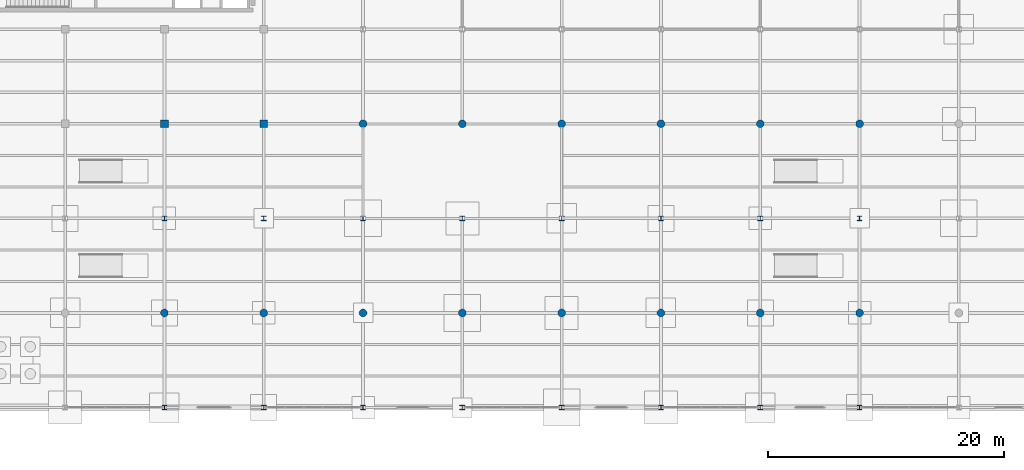
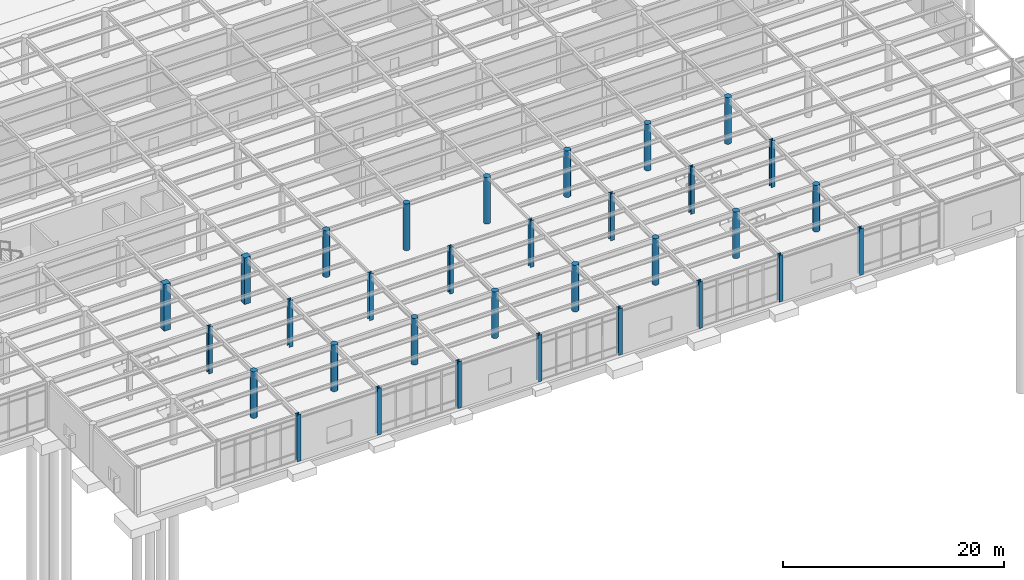
# One storey, part 9 of 138: 32 columns.
"""IFC4 building model written with IfcOpenShell, lengths in metres."""

from ifc_helpers import new_model, si_unit, direction, frame, origin, origin_2d, place, context, subcontext, project, spatial, rectangle, circle, i_section, extrude, material, material_profile, profile_set, type_object, element, save


model = new_model("IFC4")

# Units and contexts
model_context = context("Model", 3, precision=1e-05, world=origin(), true_north=direction((0.0, 1.0)))
body_context = subcontext(model_context, "Body", "Model", "MODEL_VIEW")
ifc_project = project(units=[si_unit("LENGTHUNIT", "METRE"), si_unit("AREAUNIT", "SQUARE_METRE"), si_unit("VOLUMEUNIT", "CUBIC_METRE"), si_unit("PLANEANGLEUNIT", "RADIAN"), si_unit("MASSUNIT", "GRAM", prefix="KILO")], contexts=[model_context])

# Site, building, storey
site_placement = place(None, origin())
site = spatial("IfcSite", under=ifc_project, at=site_placement, CompositionType="ELEMENT")
building_placement = place(site_placement, origin())
building = spatial("IfcBuilding", under=site, at=building_placement, Name="Kranzveld Transit Interchange", CompositionType="ELEMENT")
storey_placement = place(building_placement, origin())
storey = spatial("IfcBuildingStorey", under=building, at=storey_placement, Name="L00", CompositionType="ELEMENT", Elevation=0.0)

# Columns
ifc_material_1 = material(Name="Concrete C35/45", Category="concrete")
ifc_material_profile_1 = material_profile(ifc_material_1, rectangle(XDim=0.64990234375, YDim=0.64990234375, at=origin_2d()), Name="RC 650x650")
ifc_profile_set_1 = profile_set([ifc_material_profile_1], Name="Concrete C35/45")
column_type_1 = type_object("IfcColumnType", Name="Column RC 650x650 C35/45", PredefinedType="COLUMN", material=ifc_profile_set_1)
for number, where, z_axis, x_axis, name in (
    (1, (67.199951171875, 24.0, 0.0), (0.0, 0.0, 1.0), (1.0, 0.0, 0.0), "L00 Column 09/D"),
    (2, (75.60009765625, 24.0, 0.0), (0.0, 0.0, 1.0), (1.0, 0.0, 0.0), "L00 Column 10/D"),
):
    element("IfcColumn", number, at=place(storey_placement, frame(where, z_axis=z_axis, x_axis=x_axis)), inside=storey, type_object=column_type_1, Name=name, PredefinedType="COLUMN", context=body_context, shape_type="SweptSolid", body=[
        extrude(rectangle(XDim=0.64990234375, YDim=0.64990234375, at=origin_2d()), origin(), (0.0, 0.0, 1.0), 5.14990234375),
    ])
ifc_material_2 = material(Name="Concrete C35/45", Category="concrete")
ifc_material_profile_2 = material_profile(ifc_material_2, circle(Radius=0.324951171875, at=origin_2d()), Name="RC DIA 650")
ifc_profile_set_2 = profile_set([ifc_material_profile_2], Name="Concrete C35/45")
column_type_2 = type_object("IfcColumnType", Name="Column RC Dia 650 C35/45", PredefinedType="COLUMN", material=ifc_profile_set_2)
for number, where, z_axis, x_axis, name in (
    (3, (67.199951171875, 8.0, 0.0), (0.0, 0.0, 1.0), (1.0, 0.0, 0.0), "L00 Column 09/B"),
    (4, (75.60009765625, 8.0, 0.0), (0.0, 0.0, 1.0), (1.0, 0.0, 0.0), "L00 Column 10/B"),
    (5, (84.0, 8.0, 0.0), (0.0, 0.0, 1.0), (1.0, 0.0, 0.0), "L00 Column 11/B"),
    (6, (84.0, 24.0, 0.0), (0.0, 0.0, 1.0), (1.0, 0.0, 0.0), "L00 Column 11/D"),
    (7, (92.39990234375, 8.0, 0.0), (0.0, 0.0, 1.0), (1.0, 0.0, 0.0), "L00 Column 12/B"),
    (8, (92.39990234375, 24.0, 0.0), (0.0, 0.0, 1.0), (1.0, 0.0, 0.0), "L00 Column 12/D"),
    (9, (100.800048828125, 8.0, 0.0), (0.0, 0.0, 1.0), (1.0, 0.0, 0.0), "L00 Column 13/B"),
    (10, (100.800048828125, 24.0, 0.0), (0.0, 0.0, 1.0), (1.0, 0.0, 0.0), "L00 Column 13/D"),
    (11, (109.199951171875, 8.0, 0.0), (0.0, 0.0, 1.0), (1.0, 0.0, 0.0), "L00 Column 14/B"),
    (12, (109.199951171875, 24.0, 0.0), (0.0, 0.0, 1.0), (1.0, 0.0, 0.0), "L00 Column 14/D"),
    (13, (117.60009765625, 8.0, 0.0), (0.0, 0.0, 1.0), (1.0, 0.0, 0.0), "L00 Column 15/B"),
    (14, (117.60009765625, 24.0, 0.0), (0.0, 0.0, 1.0), (1.0, 0.0, 0.0), "L00 Column 15/D"),
    (15, (126.0, 8.0, 0.0), (0.0, 0.0, 1.0), (1.0, 0.0, 0.0), "L00 Column 16/B"),
    (16, (126.0, 24.0, 0.0), (0.0, 0.0, 1.0), (1.0, 0.0, 0.0), "L00 Column 16/D"),
):
    element("IfcColumn", number, at=place(storey_placement, frame(where, z_axis=z_axis, x_axis=x_axis)), inside=storey, type_object=column_type_2, Name=name, PredefinedType="COLUMN", context=body_context, shape_type="SweptSolid", body=[
        extrude(circle(Radius=0.324951171875, at=origin_2d()), origin(), (0.0, 0.0, 1.0), 5.14990234375),
    ])
ifc_material_3 = material(Name="Steel S355JR", Category="steel")
ifc_material_profile_3 = material_profile(ifc_material_3, i_section(OverallWidth=0.39892578125, OverallDepth=0.3935546875, WebThickness=0.022705078125, FlangeThickness=0.03662109375, FilletRadius=0.01513671875, at=origin_2d()), Name="UC 356x406x287")
ifc_profile_set_3 = profile_set([ifc_material_profile_3], Name="Steel S355JR")
column_type_3 = type_object("IfcColumnType", Name="Column Steel UC 356x406x287 S355JR", PredefinedType="COLUMN", material=ifc_profile_set_3)
for number, where, z_axis, x_axis, name in (
    (17, (67.199951171875, 0.0, 0.0), (0.0, 0.0, 1.0), (1.0, 0.0, 0.0), "L00 Column 09/A"),
    (18, (67.199951171875, 16.0, 0.0), (0.0, 0.0, 1.0), (1.0, 0.0, 0.0), "L00 Column 09/C"),
    (19, (75.60009765625, 0.0, 0.0), (0.0, 0.0, 1.0), (1.0, 0.0, 0.0), "L00 Column 10/A"),
    (20, (75.60009765625, 16.0, 0.0), (0.0, 0.0, 1.0), (1.0, 0.0, 0.0), "L00 Column 10/C"),
    (21, (84.0, 0.0, 0.0), (0.0, 0.0, 1.0), (1.0, 0.0, 0.0), "L00 Column 11/A"),
    (22, (84.0, 16.0, 0.0), (0.0, 0.0, 1.0), (1.0, 0.0, 0.0), "L00 Column 11/C"),
    (23, (92.39990234375, 0.0, 0.0), (0.0, 0.0, 1.0), (1.0, 0.0, 0.0), "L00 Column 12/A"),
    (24, (92.39990234375, 16.0, 0.0), (0.0, 0.0, 1.0), (1.0, 0.0, 0.0), "L00 Column 12/C"),
    (25, (100.800048828125, 0.0, 0.0), (0.0, 0.0, 1.0), (1.0, 0.0, 0.0), "L00 Column 13/A"),
    (26, (100.800048828125, 16.0, 0.0), (0.0, 0.0, 1.0), (1.0, 0.0, 0.0), "L00 Column 13/C"),
    (27, (109.199951171875, 0.0, 0.0), (0.0, 0.0, 1.0), (1.0, 0.0, 0.0), "L00 Column 14/A"),
    (28, (109.199951171875, 16.0, 0.0), (0.0, 0.0, 1.0), (1.0, 0.0, 0.0), "L00 Column 14/C"),
    (29, (117.60009765625, 0.0, 0.0), (0.0, 0.0, 1.0), (1.0, 0.0, 0.0), "L00 Column 15/A"),
    (30, (117.60009765625, 16.0, 0.0), (0.0, 0.0, 1.0), (1.0, 0.0, 0.0), "L00 Column 15/C"),
    (31, (126.0, 0.0, 0.0), (0.0, 0.0, 1.0), (1.0, 0.0, 0.0), "L00 Column 16/A"),
    (32, (126.0, 16.0, 0.0), (0.0, 0.0, 1.0), (1.0, 0.0, 0.0), "L00 Column 16/C"),
):
    element("IfcColumn", number, at=place(storey_placement, frame(where, z_axis=z_axis, x_axis=x_axis)), inside=storey, type_object=column_type_3, Name=name, PredefinedType="COLUMN", context=body_context, shape_type="SweptSolid", body=[
        extrude(i_section(OverallWidth=0.39892578125, OverallDepth=0.3935546875, WebThickness=0.022705078125, FlangeThickness=0.03662109375, FilletRadius=0.01513671875, at=origin_2d()), origin(), (0.0, 0.0, 1.0), 5.14990234375),
    ])

save(model, "model.ifc")
